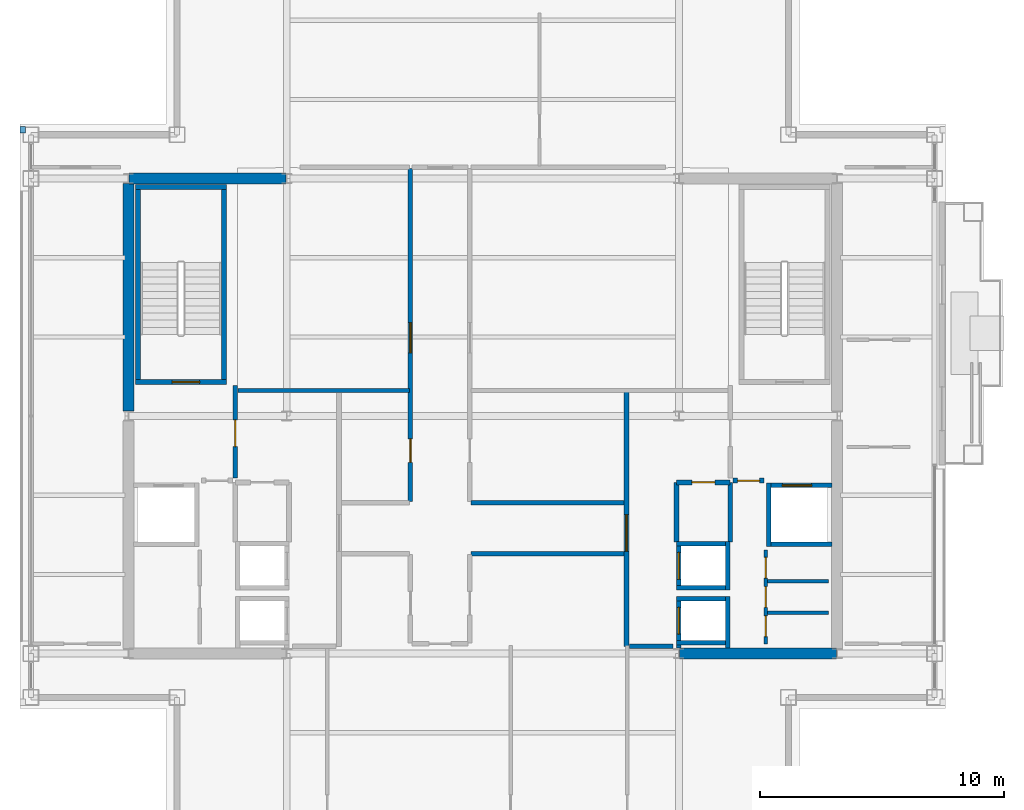
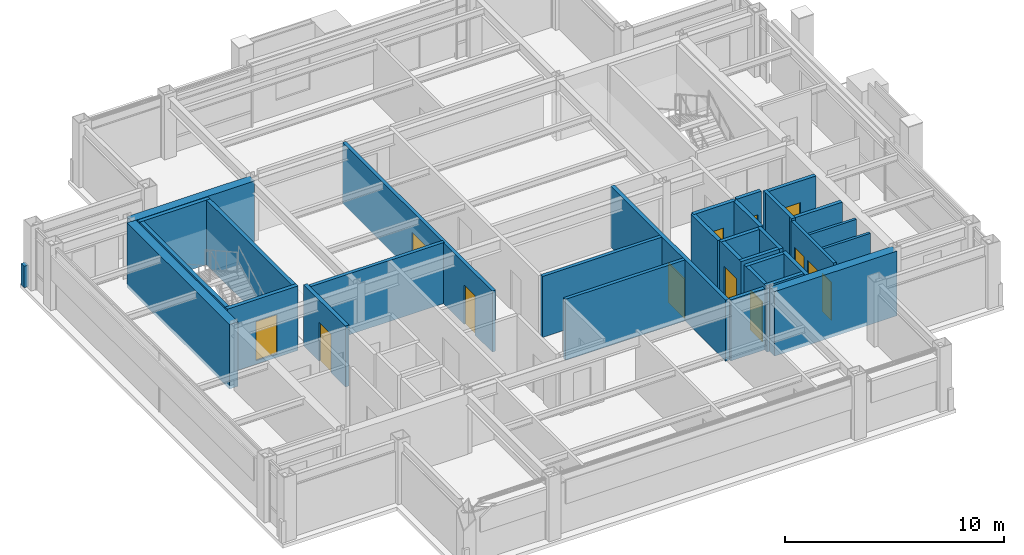
# One storey, part 20 of 24: 33 walls, 13 doors, 13 openings.
"""IFC4 building model written with IfcOpenShell, lengths in metres."""

from ifc_helpers import new_model, si_unit, direction, frame, frame_2d, origin, place, context, subcontext, project, spatial, rectangle, extrude, material, layer, layer_set, type_object, element, fill, save


model = new_model("IFC4")

# Units and contexts
model_context = context("Model", 3, precision=1e-05, world=origin(), true_north=direction((0.0, 1.0)))
body_context = subcontext(model_context, "Body", "Model", "MODEL_VIEW")
ifc_project = project(units=[si_unit("LENGTHUNIT", "METRE"), si_unit("AREAUNIT", "SQUARE_METRE"), si_unit("VOLUMEUNIT", "CUBIC_METRE"), si_unit("PLANEANGLEUNIT", "RADIAN"), si_unit("MASSUNIT", "GRAM", prefix="KILO")], contexts=[model_context])

# Site, building, storey
site_placement = place(None, origin())
site = spatial("IfcSite", under=ifc_project, at=site_placement, CompositionType="ELEMENT")
building_placement = place(site_placement, origin())
building = spatial("IfcBuilding", under=site, at=building_placement, Name="Brelmoor Portico Tower", CompositionType="ELEMENT")
storey_placement = place(building_placement, frame((0.0, 0.0, 229.199951171875)))
storey = spatial("IfcBuildingStorey", under=building, at=storey_placement, Name="L60", CompositionType="ELEMENT", Elevation=229.199951171875)

# Walls
ifc_material_1 = material(Name="Concrete C50", Category="concrete")
ifc_layer_1 = layer(ifc_material_1, 0.449951171875)
ifc_layer_set_1 = layer_set([ifc_layer_1], Name="Concrete C50")
wall_type_1 = type_object("IfcWallType", Name="WL-CORE-450", PredefinedType="SHEAR", material=ifc_layer_set_1)
wall_1_placement = place(storey_placement, frame((-14.530029296875, 9.75, -0.199951171875), z_axis=(0.0, 0.0, 1.0), x_axis=(1.0, 0.0, 0.0)))
element("IfcWall", 1, at=wall_1_placement, inside=storey, type_object=wall_type_1, Name="L60 WC North Shear Wall", PredefinedType="SHEAR", context=body_context, shape_type="SweptSolid", body=[
    extrude(rectangle(XDim=6.4599609375, YDim=0.449951171875, at=frame_2d((3.22998046875, 0.0))), origin(), (0.0, 0.0, 1.0), 3.60009765625),
])
wall_2_placement = place(storey_placement, frame((-14.550048828125, 0.199951171875, -0.199951171875), z_axis=(0.0, 0.0, 1.0), x_axis=(0.0, 1.0, 0.0)))
element("IfcWall", 2, at=wall_2_placement, inside=storey, type_object=wall_type_1, Name="L60 WC Outer North Shear Wall", PredefinedType="SHEAR", context=body_context, shape_type="SweptSolid", body=[
    extrude(rectangle(XDim=9.35009765625, YDim=0.449951171875, at=frame_2d((4.675048828125, 0.0))), origin(), (0.0, 0.0, 1.0), 3.60009765625),
])
wall_3_placement = place(storey_placement, frame((8.070068359375, -9.75, -0.199951171875), z_axis=(0.0, 0.0, 1.0), x_axis=(1.0, 0.0, 0.0)))
element("IfcWall", 3, at=wall_3_placement, inside=storey, type_object=wall_type_1, Name="L60 EC South Shear Wall", PredefinedType="SHEAR", context=body_context, shape_type="SweptSolid", body=[
    extrude(rectangle(XDim=6.4599609375, YDim=0.449951171875, at=frame_2d((3.22998046875, 0.0))), origin(), (0.0, 0.0, 1.0), 3.60009765625),
])
ifc_material_2 = material(Name="Concrete C40 Parapet Upstand", Category="concrete")
ifc_layer_2 = layer(ifc_material_2, 0.219970703125)
ifc_layer_set_2 = layer_set([ifc_layer_2], Name="Concrete C40 Parapet Upstand")
wall_type_2 = type_object("IfcWallType", Name="WL-PARAPET-220", PredefinedType="PARAPET", material=ifc_layer_set_2)
wall_4_placement = place(storey_placement, frame((-18.889892578125, 11.6201171875, 0.0), z_axis=(0.0, 0.0, 1.0), x_axis=(0.0, 1.0, 0.0)))
element("IfcWall", 4, at=wall_4_placement, inside=storey, type_object=wall_type_2, Name="L60 Chamfer Vertex Parapet Pier NW2", PredefinedType="PARAPET", context=body_context, shape_type="SweptSolid", body=[
    extrude(rectangle(XDim=0.269775390625, YDim=0.219970703125, at=frame_2d((0.134765625, 0.0))), origin(), (0.0, 0.0, 1.0), 1.199951171875),
])
ifc_material_3 = material(Name="Insulated Stud Suite Partition", Category="gypsum")
ifc_layer_3 = layer(ifc_material_3, 0.139892578125)
ifc_layer_set_3 = layer_set([ifc_layer_3], Name="Insulated Stud Suite Partition")
wall_type_3 = type_object("IfcWallType", Name="WL-PART-140", PredefinedType="PARTITIONING", material=ifc_layer_set_3)
for number, where, z_axis, x_axis, name in (
    (5, (11.699951171875, -8.066650390625, 0.0), (0.0, 0.0, 1.0), (1.0, 0.0, 0.0), "L60 E Core WC Divider 1"),
    (6, (11.699951171875, -6.783203125, 0.0), (0.0, 0.0, 1.0), (1.0, 0.0, 0.0), "L60 E Core WC Divider 2"),
):
    element("IfcWall", number, at=place(storey_placement, frame(where, z_axis=z_axis, x_axis=x_axis)), inside=storey, type_object=wall_type_3, Name=name, PredefinedType="PARTITIONING", context=body_context, shape_type="SweptSolid", body=[
        extrude(rectangle(XDim=2.5, YDim=0.139892578125, at=frame_2d((1.25, 0.0))), origin(), (0.0, 0.0, 1.0), 3.400146484375),
    ])

# Wall, openings, doors
ifc_material_4 = material(Name="Twin-Frame Acoustic Partition", Category="gypsum")
ifc_layer_4 = layer(ifc_material_4, 0.159912109375)
ifc_layer_set_4 = layer_set([ifc_layer_4], Name="Twin-Frame Acoustic Partition")
wall_type_4 = type_object("IfcWallType", Name="WL-PART-160", PredefinedType="PARTITIONING", material=ifc_layer_set_4)
wall_5_placement = place(storey_placement, frame((11.6201171875, -9.35009765625, 0.0), z_axis=(0.0, 0.0, 1.0), x_axis=(0.0, 1.0, 0.0)))
wall_5 = element("IfcWall", 7, at=wall_5_placement, inside=storey, type_object=wall_type_4, Name="L60 E Core Service Front Wall", PredefinedType="PARTITIONING", context=body_context, shape_type="SweptSolid", body=[
    extrude(rectangle(XDim=3.85009765625, YDim=0.159912109375, at=frame_2d((1.925048828125, 0.0))), origin(), (0.0, 0.0, 1.0), 3.400146484375),
])
opening_1_placement = place(wall_5_placement, frame((0.300048828125, 0.0, 0.0)))
opening_1 = element("IfcOpeningElement", 8, at=opening_1_placement, cuts=wall_5, Name="Opening D-WC1", PredefinedType="OPENING", context=body_context, shape_type="SweptSolid", body=[
    extrude(rectangle(XDim=0.85009765625, YDim=2.1201171875, at=frame_2d((0.425048828125, 1.06005859375))), frame((0.0, 0.08984375, 0.0), z_axis=(0.0, -1.0, 0.0), x_axis=(1.0, 0.0, 0.0)), (0.0, 0.0, 1.0), 0.179931640625),
])
opening_2_placement = place(wall_5_placement, frame((1.5, 0.0, 0.0)))
opening_2 = element("IfcOpeningElement", 9, at=opening_2_placement, cuts=wall_5, Name="Opening D-WC1", PredefinedType="OPENING", context=body_context, shape_type="SweptSolid", body=[
    extrude(rectangle(XDim=0.85009765625, YDim=2.1201171875, at=frame_2d((0.425048828125, 1.06005859375))), frame((0.0, 0.08984375, 0.0), z_axis=(0.0, -1.0, 0.0), x_axis=(1.0, 0.0, 0.0)), (0.0, 0.0, 1.0), 0.179931640625),
])
opening_3_placement = place(wall_5_placement, frame((2.699951171875, 0.0, 0.0)))
opening_3 = element("IfcOpeningElement", 10, at=opening_3_placement, cuts=wall_5, Name="Opening D-WC1", PredefinedType="OPENING", context=body_context, shape_type="SweptSolid", body=[
    extrude(rectangle(XDim=0.85009765625, YDim=2.1201171875, at=frame_2d((0.425048828125, 1.06005859375))), frame((0.0, 0.08984375, 0.0), z_axis=(0.0, -1.0, 0.0), x_axis=(1.0, 0.0, 0.0)), (0.0, 0.0, 1.0), 0.179931640625),
])
ifc_material_5 = material(Name="Moisture-Resistant Laminate WC Door", Category="timber")
door_type_1 = type_object("IfcDoorType", Name="DR-WC-850", OperationType="NOTDEFINED", PredefinedType="DOOR", material=ifc_material_5)
door_1_placement = place(opening_1_placement, origin())
door_1 = element("IfcDoor", 11, at=door_1_placement, inside=storey, type_object=door_type_1, Name="D-2478 L60 E Male WC Door", OperationType="SINGLE_SWING_RIGHT", OverallHeight=2.1201171875, OverallWidth=0.85009765625, PredefinedType="DOOR", context=body_context, shape_type="SweptSolid", body=[
    extrude(rectangle(XDim=0.85009765625, YDim=2.1201171875, at=frame_2d((0.425048828125, 1.06005859375))), frame((0.0, 0.02490234375, 0.0), z_axis=(0.0, -1.0, 0.0), x_axis=(1.0, 0.0, 0.0)), (0.0, 0.0, 1.0), 0.050048828125),
])
fill(opening_1, door_1)
door_2_placement = place(opening_2_placement, origin())
door_2 = element("IfcDoor", 12, at=door_2_placement, inside=storey, type_object=door_type_1, Name="D-2479 L60 E Female WC Door", OperationType="SINGLE_SWING_LEFT", OverallHeight=2.1201171875, OverallWidth=0.85009765625, PredefinedType="DOOR", context=body_context, shape_type="SweptSolid", body=[
    extrude(rectangle(XDim=0.85009765625, YDim=2.1201171875, at=frame_2d((0.425048828125, 1.06005859375))), frame((0.0, 0.02490234375, 0.0), z_axis=(0.0, -1.0, 0.0), x_axis=(1.0, 0.0, 0.0)), (0.0, 0.0, 1.0), 0.050048828125),
])
fill(opening_2, door_2)
door_3_placement = place(opening_3_placement, origin())
door_3 = element("IfcDoor", 13, at=door_3_placement, inside=storey, type_object=door_type_1, Name="D-2480 L60 E Janitor Store Door", OperationType="SINGLE_SWING_RIGHT", OverallHeight=2.1201171875, OverallWidth=0.85009765625, PredefinedType="DOOR", context=body_context, shape_type="SweptSolid", body=[
    extrude(rectangle(XDim=0.85009765625, YDim=2.1201171875, at=frame_2d((0.425048828125, 1.06005859375))), frame((0.0, 0.02490234375, 0.0), z_axis=(0.0, -1.0, 0.0), x_axis=(1.0, 0.0, 0.0)), (0.0, 0.0, 1.0), 0.050048828125),
])
fill(opening_3, door_3)

# Wall
ifc_material_6 = material(Name="Acoustic Corridor Fire Partition", Category="gypsum")
ifc_layer_5 = layer(ifc_material_6, 0.179931640625)
ifc_layer_set_5 = layer_set([ifc_layer_5], Name="Acoustic Corridor Fire Partition")
wall_type_5 = type_object("IfcWallType", Name="WL-PART-180", PredefinedType="PARTITIONING", material=ifc_layer_set_5)
wall_6_placement = place(storey_placement, frame((-10.050048828125, 1.050048828125, 0.0), z_axis=(0.0, 0.0, 1.0), x_axis=(1.0, 0.0, 0.0)))
element("IfcWall", 14, at=wall_6_placement, inside=storey, type_object=wall_type_5, Name="L60 West Reclaimed Suite South Wall", PredefinedType="PARTITIONING", context=body_context, shape_type="SweptSolid", body=[
    extrude(rectangle(XDim=7.0400390625, YDim=0.179931640625, at=frame_2d((3.52001953125, 0.0))), origin(), (0.0, 0.0, 1.0), 3.400146484375),
])

# Wall, openings, doors
wall_7_placement = place(storey_placement, frame((-2.969970703125, -3.5, 0.0), z_axis=(0.0, 0.0, 1.0), x_axis=(0.0, 1.0, 0.0)))
wall_7 = element("IfcWall", 15, at=wall_7_placement, inside=storey, type_object=wall_type_5, Name="L60 Central Cross West Wall", PredefinedType="PARTITIONING", context=body_context, shape_type="SweptSolid", body=[
    extrude(rectangle(XDim=13.669921875, YDim=0.179931640625, at=frame_2d((6.8349609375, 0.0))), origin(), (0.0, 0.0, 1.0), 3.400146484375),
])
opening_4_placement = place(wall_7_placement, frame((6.10009765625, 0.0, 0.0)))
opening_4 = element("IfcOpeningElement", 16, at=opening_4_placement, cuts=wall_7, Name="Opening D-SU1", PredefinedType="OPENING", context=body_context, shape_type="SweptSolid", body=[
    extrude(rectangle(XDim=1.239990234375, YDim=2.239990234375, at=frame_2d((0.6201171875, 1.1201171875))), frame((0.0, 0.099853515625, 0.0), z_axis=(0.0, -1.0, 0.0), x_axis=(1.0, 0.0, 0.0)), (0.0, 0.0, 1.0), 0.199951171875),
])
opening_5_placement = place(wall_7_placement, frame((1.60009765625, 0.0, 0.0)))
opening_5 = element("IfcOpeningElement", 17, at=opening_5_placement, cuts=wall_7, Name="Opening D-IN2", PredefinedType="OPENING", context=body_context, shape_type="SweptSolid", body=[
    extrude(rectangle(XDim=0.9599609375, YDim=2.179931640625, at=frame_2d((0.47998046875, 1.08984375))), frame((0.0, 0.099853515625, 0.0), z_axis=(0.0, -1.0, 0.0), x_axis=(1.0, 0.0, 0.0)), (0.0, 0.0, 1.0), 0.199951171875),
])
ifc_material_7 = material(Name="Lacquered Timber Suite Door", Category="wood")
door_type_2 = type_object("IfcDoorType", Name="DR-INT-950", OperationType="NOTDEFINED", PredefinedType="DOOR", material=ifc_material_7)
door_4_placement = place(opening_5_placement, origin())
door_4 = element("IfcDoor", 18, at=door_4_placement, inside=storey, type_object=door_type_2, Name="D-2476 L60 Staff Pantry Door", OperationType="SINGLE_SWING_RIGHT", OverallHeight=2.179931640625, OverallWidth=0.9599609375, PredefinedType="DOOR", context=body_context, shape_type="SweptSolid", body=[
    extrude(rectangle(XDim=0.9599609375, YDim=2.179931640625, at=frame_2d((0.47998046875, 1.08984375))), frame((0.0, 0.02490234375, 0.0), z_axis=(0.0, -1.0, 0.0), x_axis=(1.0, 0.0, 0.0)), (0.0, 0.0, 1.0), 0.050048828125),
])
fill(opening_5, door_4)
ifc_material_8 = material(Name="Glazed Timber Executive Suite Door", Category="wood")
door_type_3 = type_object("IfcDoorType", Name="DR-SUITE-1200", OperationType="NOTDEFINED", PredefinedType="DOOR", material=ifc_material_8)
door_5_placement = place(opening_4_placement, origin())
door_5 = element("IfcDoor", 19, at=door_5_placement, inside=storey, type_object=door_type_3, Name="D-2477 L60 West Reclaimed Studio Door", OperationType="SINGLE_SWING_LEFT", OverallHeight=2.239990234375, OverallWidth=1.239990234375, PredefinedType="DOOR", context=body_context, shape_type="SweptSolid", body=[
    extrude(rectangle(XDim=1.239990234375, YDim=2.239990234375, at=frame_2d((0.6201171875, 1.1201171875))), frame((0.0, 0.02490234375, 0.0), z_axis=(0.0, -1.0, 0.0), x_axis=(1.0, 0.0, 0.0)), (0.0, 0.0, 1.0), 0.050048828125),
])
fill(opening_4, door_5)

# Walls
for number, where, z_axis, x_axis, name in (
    (20, (-0.489990234375, -3.550048828125, 0.0), (0.0, 0.0, 1.0), (1.0, 0.0, 0.0), "L60 East Office South Wall"),
    (21, (-0.489990234375, -5.64990234375, 0.0), (0.0, 0.0, 1.0), (1.0, 0.0, 0.0), "L60 South-East Chamber Top Wall"),
):
    element("IfcWall", number, at=place(storey_placement, frame(where, z_axis=z_axis, x_axis=x_axis)), inside=storey, type_object=wall_type_5, Name=name, PredefinedType="PARTITIONING", context=body_context, shape_type="SweptSolid", body=[
        extrude(rectangle(XDim=6.2900390625, YDim=0.179931640625, at=frame_2d((3.14501953125, 0.0))), origin(), (0.0, 0.0, 1.0), 3.400146484375),
    ])

# Wall, opening, door
ifc_material_9 = material(Name="Double-Stud Gypsum Fire Partition", Category="gypsum")
ifc_layer_6 = layer(ifc_material_9, 0.199951171875)
ifc_layer_set_6 = layer_set([ifc_layer_6], Name="Double-Stud Gypsum Fire Partition")
wall_type_6 = type_object("IfcWallType", Name="WL-PART-200", PredefinedType="PARTITIONING", material=ifc_layer_set_6)
wall_8_placement = place(storey_placement, frame((-10.159912109375, -2.550048828125, 0.0), z_axis=(0.0, 0.0, 1.0), x_axis=(0.0, 1.0, 0.0)))
wall_8 = element("IfcWall", 22, at=wall_8_placement, inside=storey, type_object=wall_type_6, Name="L60 W Firefighting Lobby Wall", PredefinedType="PARTITIONING", context=body_context, shape_type="SweptSolid", body=[
    extrude(rectangle(XDim=3.800048828125, YDim=0.199951171875, at=frame_2d((1.89990234375, 0.0))), origin(), (0.0, 0.0, 1.0), 3.400146484375),
])
opening_6_placement = place(wall_8_placement, frame((1.300048828125, 0.0, 0.0)))
opening_6 = element("IfcOpeningElement", 23, at=opening_6_placement, cuts=wall_8, Name="Opening D-FR1", PredefinedType="OPENING", context=body_context, shape_type="SweptSolid", body=[
    extrude(rectangle(XDim=1.10009765625, YDim=2.14990234375, at=frame_2d((0.550048828125, 1.074951171875))), frame((0.0, 0.10986328125, 0.0), z_axis=(0.0, -1.0, 0.0), x_axis=(1.0, 0.0, 0.0)), (0.0, 0.0, 1.0), 0.219970703125),
])
ifc_material_10 = material(Name="Painted Galvanised Steel Fire Door", Category="steel")
door_type_4 = type_object("IfcDoorType", Name="DR-FIRE-1100", OperationType="NOTDEFINED", PredefinedType="DOOR", material=ifc_material_10)
door_6_placement = place(opening_6_placement, origin())
door_6 = element("IfcDoor", 24, at=door_6_placement, inside=storey, type_object=door_type_4, Name="D-2487 L60 W Firefighting Lobby Door", OperationType="SINGLE_SWING_LEFT", OverallHeight=2.14990234375, OverallWidth=1.10009765625, PredefinedType="DOOR", context=body_context, shape_type="SweptSolid", body=[
    extrude(rectangle(XDim=1.10009765625, YDim=2.14990234375, at=frame_2d((0.550048828125, 1.074951171875))), frame((0.0, 0.02490234375, 0.0), z_axis=(0.0, -1.0, 0.0), x_axis=(1.0, 0.0, 0.0)), (0.0, 0.0, 1.0), 0.050048828125),
])
fill(opening_6, door_6)

wall_9_placement = place(storey_placement, frame((5.89990234375, -9.449951171875, 0.0), z_axis=(0.0, 0.0, 1.0), x_axis=(0.0, 1.0, 0.0)))
wall_9 = element("IfcWall", 25, at=wall_9_placement, inside=storey, type_object=wall_type_6, Name="L60 E Core Lobby Compartment Wall", PredefinedType="PARTITIONING", context=body_context, shape_type="SweptSolid", body=[
    extrude(rectangle(XDim=10.5, YDim=0.199951171875, at=frame_2d((5.25, 0.0))), origin(), (0.0, 0.0, 1.0), 3.400146484375),
])
opening_7_placement = place(wall_9_placement, frame((3.89990234375, 0.0, 0.0)))
opening_7 = element("IfcOpeningElement", 26, at=opening_7_placement, cuts=wall_9, Name="Opening D-LB1", PredefinedType="OPENING", context=body_context, shape_type="SweptSolid", body=[
    extrude(rectangle(XDim=1.5, YDim=2.199951171875, at=frame_2d((0.75, 1.10009765625))), frame((0.0, 0.10986328125, 0.0), z_axis=(0.0, -1.0, 0.0), x_axis=(1.0, 0.0, 0.0)), (0.0, 0.0, 1.0), 0.219970703125),
])
ifc_material_11 = material(Name="Double-Leaf Glazed Steel Fire Door", Category="steel")
door_type_5 = type_object("IfcDoorType", Name="DR-LOBBY-1500", OperationType="NOTDEFINED", PredefinedType="DOOR", material=ifc_material_11)
door_7_placement = place(opening_7_placement, origin())
door_7 = element("IfcDoor", 27, at=door_7_placement, inside=storey, type_object=door_type_5, Name="D-2488 L60 E Lift Lobby Main Door", OperationType="DOUBLE_DOOR_SINGLE_SWING", OverallHeight=2.199951171875, OverallWidth=1.5, PredefinedType="DOOR", context=body_context, shape_type="SweptSolid", body=[
    extrude(rectangle(XDim=1.5, YDim=2.199951171875, at=frame_2d((0.75, 1.10009765625))), frame((0.0, 0.02490234375, 0.0), z_axis=(0.0, -1.0, 0.0), x_axis=(1.0, 0.0, 0.0)), (0.0, 0.0, 1.0), 0.050048828125),
])
fill(opening_7, door_7)

# Wall
wall_10_placement = place(storey_placement, frame((6.02001953125, -9.449951171875, 0.0), z_axis=(0.0, 0.0, 1.0), x_axis=(1.0, 0.0, 0.0)))
element("IfcWall", 28, at=wall_10_placement, inside=storey, type_object=wall_type_6, Name="L60 E Lift Lobby South End Wall", PredefinedType="PARTITIONING", context=body_context, shape_type="SweptSolid", body=[
    extrude(rectangle(XDim=1.800048828125, YDim=0.199951171875, at=frame_2d((0.89990234375, 0.0))), origin(), (0.0, 0.0, 1.0), 3.400146484375),
])

# Wall, opening, door
wall_11_placement = place(storey_placement, frame((10.280029296875, -2.64990234375, 0.0), z_axis=(0.0, 0.0, 1.0), x_axis=(1.0, 0.0, 0.0)))
wall_11 = element("IfcWall", 29, at=wall_11_placement, inside=storey, type_object=wall_type_6, Name="L60 E Firefighting Lobby South Wall", PredefinedType="PARTITIONING", context=body_context, shape_type="SweptSolid", body=[
    extrude(rectangle(XDim=1.27001953125, YDim=0.199951171875, at=frame_2d((0.635009765625, 0.0))), origin(), (0.0, 0.0, 1.0), 3.400146484375),
])
opening_8_placement = place(wall_11_placement, frame((0.18505859375, 0.0, 0.0)))
opening_8 = element("IfcOpeningElement", 30, at=opening_8_placement, cuts=wall_11, Name="Opening D-IN1", PredefinedType="OPENING", context=body_context, shape_type="SweptSolid", body=[
    extrude(rectangle(XDim=0.89990234375, YDim=2.14990234375, at=frame_2d((0.449951171875, 1.074951171875))), frame((0.0, 0.10986328125, 0.0), z_axis=(0.0, -1.0, 0.0), x_axis=(1.0, 0.0, 0.0)), (0.0, 0.0, 1.0), 0.219970703125),
])
door_type_6 = type_object("IfcDoorType", Name="DR-INT-900", OperationType="NOTDEFINED", PredefinedType="DOOR", material=ifc_material_7)
door_8_placement = place(opening_8_placement, origin())
door_8 = element("IfcDoor", 31, at=door_8_placement, inside=storey, type_object=door_type_6, Name="D-2481 L60 E Core Service Vestibule Door", OperationType="SINGLE_SWING_RIGHT", OverallHeight=2.14990234375, OverallWidth=0.89990234375, PredefinedType="DOOR", context=body_context, shape_type="SweptSolid", body=[
    extrude(rectangle(XDim=0.89990234375, YDim=2.14990234375, at=frame_2d((0.449951171875, 1.074951171875))), frame((0.0, 0.02490234375, 0.0), z_axis=(0.0, -1.0, 0.0), x_axis=(1.0, 0.0, 0.0)), (0.0, 0.0, 1.0), 0.050048828125),
])
fill(opening_8, door_8)

wall_12_placement = place(storey_placement, frame((7.9599609375, -2.719970703125, 0.0), z_axis=(0.0, 0.0, 1.0), x_axis=(1.0, 0.0, 0.0)))
wall_12 = element("IfcWall", 32, at=wall_12_placement, inside=storey, type_object=wall_type_6, Name="L60 E Electrical Switchgear Closet Wall", PredefinedType="PARTITIONING", context=body_context, shape_type="SweptSolid", body=[
    extrude(rectangle(XDim=2.199951171875, YDim=0.199951171875, at=frame_2d((1.10009765625, 0.0))), origin(), (0.0, 0.0, 1.0), 3.400146484375),
])
opening_9_placement = place(wall_12_placement, frame((0.6201171875, 0.0, 0.0)))
opening_9 = element("IfcOpeningElement", 33, at=opening_9_placement, cuts=wall_12, Name="Opening D-FR4", PredefinedType="OPENING", context=body_context, shape_type="SweptSolid", body=[
    extrude(rectangle(XDim=0.949951171875, YDim=2.10009765625, at=frame_2d((0.47509765625, 1.050048828125))), frame((0.0, 0.10986328125, 0.0), z_axis=(0.0, -1.0, 0.0), x_axis=(1.0, 0.0, 0.0)), (0.0, 0.0, 1.0), 0.219970703125),
])
ifc_material_12 = material(Name="Painted Galvanised Steel Riser Door", Category="steel")
door_type_7 = type_object("IfcDoorType", Name="DR-FIRE-950", OperationType="NOTDEFINED", PredefinedType="DOOR", material=ifc_material_12)
door_9_placement = place(opening_9_placement, origin())
door_9 = element("IfcDoor", 34, at=door_9_placement, inside=storey, type_object=door_type_7, Name="D-2484 L60 E Electrical Switchgear Closet Door", OperationType="SINGLE_SWING_LEFT", OverallHeight=2.10009765625, OverallWidth=0.949951171875, PredefinedType="DOOR", context=body_context, shape_type="SweptSolid", body=[
    extrude(rectangle(XDim=0.949951171875, YDim=2.10009765625, at=frame_2d((0.47509765625, 1.050048828125))), frame((0.0, 0.02490234375, 0.0), z_axis=(0.0, -1.0, 0.0), x_axis=(1.0, 0.0, 0.0)), (0.0, 0.0, 1.0), 0.050048828125),
])
fill(opening_9, door_9)

# Walls
for number, where, z_axis, x_axis, name in (
    (35, (7.9599609375, -5.159912109375, 0.0), (0.0, 0.0, 1.0), (0.0, 1.0, 0.0), "L60 E Electrical Switchgear Closet Inner Wall"),
    (36, (10.159912109375, -5.159912109375, 0.0), (0.0, 0.0, 1.0), (0.0, 1.0, 0.0), "L60 E Electrical Switchgear Closet Outer Wall"),
):
    element("IfcWall", number, at=place(storey_placement, frame(where, z_axis=z_axis, x_axis=x_axis)), inside=storey, type_object=wall_type_6, Name=name, PredefinedType="PARTITIONING", context=body_context, shape_type="SweptSolid", body=[
        extrude(rectangle(XDim=2.43994140625, YDim=0.199951171875, at=frame_2d((1.219970703125, 0.0))), origin(), (0.0, 0.0, 1.0), 3.400146484375),
    ])

# Wall, opening, door
ifc_material_13 = material(Name="Precast Concrete C40", Category="concrete")
ifc_layer_7 = layer(ifc_material_13, 0.18994140625)
ifc_layer_set_7 = layer_set([ifc_layer_7], Name="Precast Concrete C40")
wall_type_7 = type_object("IfcWallType", Name="WL-SHAFT-180", PredefinedType="SOLIDWALL", material=ifc_layer_set_7)
wall_13_placement = place(storey_placement, frame((8.044921875, -9.52001953125, -0.199951171875), z_axis=(0.0, 0.0, 1.0), x_axis=(0.0, 1.0, 0.0)))
wall_13 = element("IfcWall", 37, at=wall_13_placement, inside=storey, type_object=wall_type_7, Name="L60 Lift PH3 Hoistway Front Wall", PredefinedType="SOLIDWALL", context=body_context, shape_type="SweptSolid", body=[
    extrude(rectangle(XDim=2.1201171875, YDim=0.18994140625, at=frame_2d((1.06005859375, 0.0))), origin(), (0.0, 0.0, 1.0), 3.60009765625),
])
opening_10_placement = place(wall_13_placement, frame((0.570068359375, 0.0, 0.199951171875)))
opening_10 = element("IfcOpeningElement", 38, at=opening_10_placement, cuts=wall_13, Name="Opening LD-01", PredefinedType="OPENING", context=body_context, shape_type="SweptSolid", body=[
    extrude(rectangle(XDim=1.10009765625, YDim=2.199951171875, at=frame_2d((0.550048828125, 1.10009765625))), frame((0.0, 0.10498046875, 0.0), z_axis=(0.0, -1.0, 0.0), x_axis=(1.0, 0.0, 0.0)), (0.0, 0.0, 1.0), 0.2099609375),
])
ifc_material_14 = material(Name="Brushed Stainless Steel Sliding Lift Door", Category="steel")
door_type_8 = type_object("IfcDoorType", Name="DR-LIFT-1100", OperationType="NOTDEFINED", PredefinedType="DOOR", material=ifc_material_14)
door_10_placement = place(opening_10_placement, origin())
door_10 = element("IfcDoor", 39, at=door_10_placement, inside=storey, type_object=door_type_8, Name="D-2510 L60 Lift PH3 Sliding Landing Door", OperationType="SLIDING_TO_LEFT", OverallHeight=2.199951171875, OverallWidth=1.10009765625, PredefinedType="DOOR", context=body_context, shape_type="SweptSolid", body=[
    extrude(rectangle(XDim=1.10009765625, YDim=2.199951171875, at=frame_2d((0.550048828125, 1.10009765625))), frame((0.0, 0.02490234375, 0.0), z_axis=(0.0, -1.0, 0.0), x_axis=(1.0, 0.0, 0.0)), (0.0, 0.0, 1.0), 0.050048828125),
])
fill(opening_10, door_10)

# Walls
wall_14_placement = place(storey_placement, frame((10.054931640625, -9.52001953125, -0.199951171875), z_axis=(0.0, 0.0, 1.0), x_axis=(0.0, 1.0, 0.0)))
element("IfcWall", 40, at=wall_14_placement, inside=storey, type_object=wall_type_7, Name="L60 Lift PH3 Hoistway Back Wall", PredefinedType="SOLIDWALL", context=body_context, shape_type="SweptSolid", body=[
    extrude(rectangle(XDim=2.1201171875, YDim=0.18994140625, at=frame_2d((1.06005859375, 0.0))), origin(), (0.0, 0.0, 1.0), 3.60009765625),
])
for number, where, z_axis, x_axis, name in (
    (41, (7.949951171875, -7.4951171875, -0.199951171875), (0.0, 0.0, 1.0), (1.0, 0.0, 0.0), "L60 Lift PH3 Hoistway North Wall"),
    (42, (7.949951171875, -9.304931640625, -0.199951171875), (0.0, 0.0, 1.0), (1.0, 0.0, 0.0), "L60 Lift PH3 Hoistway South Wall"),
):
    element("IfcWall", number, at=place(storey_placement, frame(where, z_axis=z_axis, x_axis=x_axis)), inside=storey, type_object=wall_type_7, Name=name, PredefinedType="SOLIDWALL", context=body_context, shape_type="SweptSolid", body=[
        extrude(rectangle(XDim=2.199951171875, YDim=0.18994140625, at=frame_2d((1.10009765625, 0.0))), origin(), (0.0, 0.0, 1.0), 3.60009765625),
    ])

# Wall, opening, door
wall_15_placement = place(storey_placement, frame((8.044921875, -7.14990234375, -0.199951171875), z_axis=(0.0, 0.0, 1.0), x_axis=(0.0, 1.0, 0.0)))
wall_15 = element("IfcWall", 43, at=wall_15_placement, inside=storey, type_object=wall_type_7, Name="L60 Lift PH4 Hoistway Front Wall", PredefinedType="SOLIDWALL", context=body_context, shape_type="SweptSolid", body=[
    extrude(rectangle(XDim=2.0, YDim=0.18994140625, at=frame_2d((1.0, 0.0))), origin(), (0.0, 0.0, 1.0), 3.60009765625),
])
opening_11_placement = place(wall_15_placement, frame((0.449951171875, 0.0, 0.199951171875)))
opening_11 = element("IfcOpeningElement", 44, at=opening_11_placement, cuts=wall_15, Name="Opening LD-01", PredefinedType="OPENING", context=body_context, shape_type="SweptSolid", body=[
    extrude(rectangle(XDim=1.10009765625, YDim=2.199951171875, at=frame_2d((0.550048828125, 1.10009765625))), frame((0.0, 0.10498046875, 0.0), z_axis=(0.0, -1.0, 0.0), x_axis=(1.0, 0.0, 0.0)), (0.0, 0.0, 1.0), 0.2099609375),
])
door_11_placement = place(opening_11_placement, origin())
door_11 = element("IfcDoor", 45, at=door_11_placement, inside=storey, type_object=door_type_8, Name="D-2511 L60 Lift PH4 Sliding Landing Door", OperationType="SLIDING_TO_LEFT", OverallHeight=2.199951171875, OverallWidth=1.10009765625, PredefinedType="DOOR", context=body_context, shape_type="SweptSolid", body=[
    extrude(rectangle(XDim=1.10009765625, YDim=2.199951171875, at=frame_2d((0.550048828125, 1.10009765625))), frame((0.0, 0.02490234375, 0.0), z_axis=(0.0, -1.0, 0.0), x_axis=(1.0, 0.0, 0.0)), (0.0, 0.0, 1.0), 0.050048828125),
])
fill(opening_11, door_11)

# Walls
wall_16_placement = place(storey_placement, frame((10.054931640625, -7.14990234375, -0.199951171875), z_axis=(0.0, 0.0, 1.0), x_axis=(0.0, 1.0, 0.0)))
element("IfcWall", 46, at=wall_16_placement, inside=storey, type_object=wall_type_7, Name="L60 Lift PH4 Hoistway Back Wall", PredefinedType="SOLIDWALL", context=body_context, shape_type="SweptSolid", body=[
    extrude(rectangle(XDim=2.0, YDim=0.18994140625, at=frame_2d((1.0, 0.0))), origin(), (0.0, 0.0, 1.0), 3.60009765625),
])
for number, where, z_axis, x_axis, name in (
    (47, (7.949951171875, -5.2451171875, -0.199951171875), (0.0, 0.0, 1.0), (1.0, 0.0, 0.0), "L60 Lift PH4 Hoistway North Wall"),
    (48, (7.949951171875, -7.054931640625, -0.199951171875), (0.0, 0.0, 1.0), (1.0, 0.0, 0.0), "L60 Lift PH4 Hoistway South Wall"),
):
    element("IfcWall", number, at=place(storey_placement, frame(where, z_axis=z_axis, x_axis=x_axis)), inside=storey, type_object=wall_type_7, Name=name, PredefinedType="SOLIDWALL", context=body_context, shape_type="SweptSolid", body=[
        extrude(rectangle(XDim=2.199951171875, YDim=0.18994140625, at=frame_2d((1.10009765625, 0.0))), origin(), (0.0, 0.0, 1.0), 3.60009765625),
    ])

# Wall, opening, door
wall_17_placement = place(storey_placement, frame((11.64990234375, -2.844970703125, -0.199951171875), z_axis=(0.0, 0.0, 1.0), x_axis=(1.0, 0.0, 0.0)))
wall_17 = element("IfcWall", 49, at=wall_17_placement, inside=storey, type_object=wall_type_7, Name="L60 Lift FF2 Hoistway Front Wall", PredefinedType="SOLIDWALL", context=body_context, shape_type="SweptSolid", body=[
    extrude(rectangle(XDim=2.68017578125, YDim=0.18994140625, at=frame_2d((1.340087890625, 0.0))), origin(), (0.0, 0.0, 1.0), 3.60009765625),
])
opening_12_placement = place(wall_17_placement, frame((0.64990234375, 0.0, 0.199951171875)))
opening_12 = element("IfcOpeningElement", 50, at=opening_12_placement, cuts=wall_17, Name="Opening LD-02", PredefinedType="OPENING", context=body_context, shape_type="SweptSolid", body=[
    extrude(rectangle(XDim=1.199951171875, YDim=2.199951171875, at=frame_2d((0.60009765625, 1.10009765625))), frame((0.0, 0.10498046875, 0.0), z_axis=(0.0, -1.0, 0.0), x_axis=(1.0, 0.0, 0.0)), (0.0, 0.0, 1.0), 0.2099609375),
])
ifc_material_15 = material(Name="Brushed Stainless Steel Firefighting Lift Door", Category="steel")
door_type_9 = type_object("IfcDoorType", Name="DR-LIFT-1200", OperationType="NOTDEFINED", PredefinedType="DOOR", material=ifc_material_15)
door_12_placement = place(opening_12_placement, origin())
door_12 = element("IfcDoor", 51, at=door_12_placement, inside=storey, type_object=door_type_9, Name="D-2507 L60 Lift FF2 Sliding Landing Door", OperationType="SLIDING_TO_LEFT", OverallHeight=2.199951171875, OverallWidth=1.199951171875, PredefinedType="DOOR", context=body_context, shape_type="SweptSolid", body=[
    extrude(rectangle(XDim=1.199951171875, YDim=2.199951171875, at=frame_2d((0.60009765625, 1.10009765625))), frame((0.0, 0.02490234375, 0.0), z_axis=(0.0, -1.0, 0.0), x_axis=(1.0, 0.0, 0.0)), (0.0, 0.0, 1.0), 0.050048828125),
])
fill(opening_12, door_12)

# Walls
wall_18_placement = place(storey_placement, frame((11.64990234375, -5.2548828125, -0.199951171875), z_axis=(0.0, 0.0, 1.0), x_axis=(1.0, 0.0, 0.0)))
element("IfcWall", 52, at=wall_18_placement, inside=storey, type_object=wall_type_7, Name="L60 Firefighting Lift FF2 South Wall", PredefinedType="SOLIDWALL", context=body_context, shape_type="SweptSolid", body=[
    extrude(rectangle(XDim=2.68017578125, YDim=0.18994140625, at=frame_2d((1.340087890625, 0.0))), origin(), (0.0, 0.0, 1.0), 3.60009765625),
])
wall_19_placement = place(storey_placement, frame((11.7451171875, -5.35009765625, -0.199951171875), z_axis=(0.0, 0.0, 1.0), x_axis=(0.0, 1.0, 0.0)))
element("IfcWall", 53, at=wall_19_placement, inside=storey, type_object=wall_type_7, Name="L60 Firefighting Lift FF2 Inner Wall", PredefinedType="SOLIDWALL", context=body_context, shape_type="SweptSolid", body=[
    extrude(rectangle(XDim=2.60009765625, YDim=0.18994140625, at=frame_2d((1.300048828125, 0.0))), origin(), (0.0, 0.0, 1.0), 3.60009765625),
])
ifc_material_16 = material(Name="Concrete C40", Category="concrete")
ifc_layer_8 = layer(ifc_material_16, 0.199951171875)
ifc_layer_set_8 = layer_set([ifc_layer_8], Name="Concrete C40")
wall_type_8 = type_object("IfcWallType", Name="WL-SHAFT-RC200", PredefinedType="SOLIDWALL", material=ifc_layer_set_8)
wall_20_placement = place(storey_placement, frame((-14.14990234375, 1.5, -0.199951171875), z_axis=(0.0, 0.0, 1.0), x_axis=(0.0, 1.0, 0.0)))
element("IfcWall", 54, at=wall_20_placement, inside=storey, type_object=wall_type_8, Name="L60 ST-W Structural Stair Wall Outer", PredefinedType="SOLIDWALL", context=body_context, shape_type="SweptSolid", body=[
    extrude(rectangle(XDim=7.800048828125, YDim=0.199951171875, at=frame_2d((3.89990234375, 0.0))), origin(), (0.0, 0.0, 1.0), 3.60009765625),
])

# Wall, opening, door
wall_21_placement = place(storey_placement, frame((-14.25, 1.39990234375, -0.199951171875), z_axis=(0.0, 0.0, 1.0), x_axis=(1.0, 0.0, 0.0)))
wall_21 = element("IfcWall", 55, at=wall_21_placement, inside=storey, type_object=wall_type_8, Name="L60 ST-W Structural Stair Wall S", PredefinedType="SOLIDWALL", context=body_context, shape_type="SweptSolid", body=[
    extrude(rectangle(XDim=3.719970703125, YDim=0.199951171875, at=frame_2d((1.85986328125, 0.0))), origin(), (0.0, 0.0, 1.0), 3.60009765625),
])
opening_13_placement = place(wall_21_placement, frame((1.5, 0.0, 0.199951171875)))
opening_13 = element("IfcOpeningElement", 56, at=opening_13_placement, cuts=wall_21, Name="Opening D-ST1", PredefinedType="OPENING", context=body_context, shape_type="SweptSolid", body=[
    extrude(rectangle(XDim=1.1201171875, YDim=2.179931640625, at=frame_2d((0.56005859375, 1.08984375))), frame((0.0, 0.10986328125, 0.0), z_axis=(0.0, -1.0, 0.0), x_axis=(1.0, 0.0, 0.0)), (0.0, 0.0, 1.0), 0.219970703125),
])
door_type_10 = type_object("IfcDoorType", Name="DR-STAIR-1100", OperationType="NOTDEFINED", PredefinedType="DOOR", material=ifc_material_10)
door_13_placement = place(opening_13_placement, origin())
door_13 = element("IfcDoor", 57, at=door_13_placement, inside=storey, type_object=door_type_10, Name="D-2499 L60 ST-W Protected Exit Stair Door", OperationType="SINGLE_SWING_LEFT", OverallHeight=2.179931640625, OverallWidth=1.1201171875, PredefinedType="DOOR", context=body_context, shape_type="SweptSolid", body=[
    extrude(rectangle(XDim=1.1201171875, YDim=2.179931640625, at=frame_2d((0.56005859375, 1.08984375))), frame((0.0, 0.02490234375, 0.0), z_axis=(0.0, -1.0, 0.0), x_axis=(1.0, 0.0, 0.0)), (0.0, 0.0, 1.0), 0.050048828125),
])
fill(opening_13, door_13)

# Walls
wall_22_placement = place(storey_placement, frame((-14.25, 9.39990234375, -0.199951171875), z_axis=(0.0, 0.0, 1.0), x_axis=(1.0, 0.0, 0.0)))
element("IfcWall", 58, at=wall_22_placement, inside=storey, type_object=wall_type_8, Name="L60 ST-W Structural Stair Wall N", PredefinedType="SOLIDWALL", context=body_context, shape_type="SweptSolid", body=[
    extrude(rectangle(XDim=3.719970703125, YDim=0.199951171875, at=frame_2d((1.85986328125, 0.0))), origin(), (0.0, 0.0, 1.0), 3.60009765625),
])
wall_23_placement = place(storey_placement, frame((-10.6298828125, 1.5, -0.199951171875), z_axis=(0.0, 0.0, 1.0), x_axis=(0.0, 1.0, 0.0)))
element("IfcWall", 59, at=wall_23_placement, inside=storey, type_object=wall_type_8, Name="L60 ST-W Structural Stair Wall Inner", PredefinedType="SOLIDWALL", context=body_context, shape_type="SweptSolid", body=[
    extrude(rectangle(XDim=7.800048828125, YDim=0.199951171875, at=frame_2d((3.89990234375, 0.0))), origin(), (0.0, 0.0, 1.0), 3.60009765625),
])

save(model, "model.ifc")
